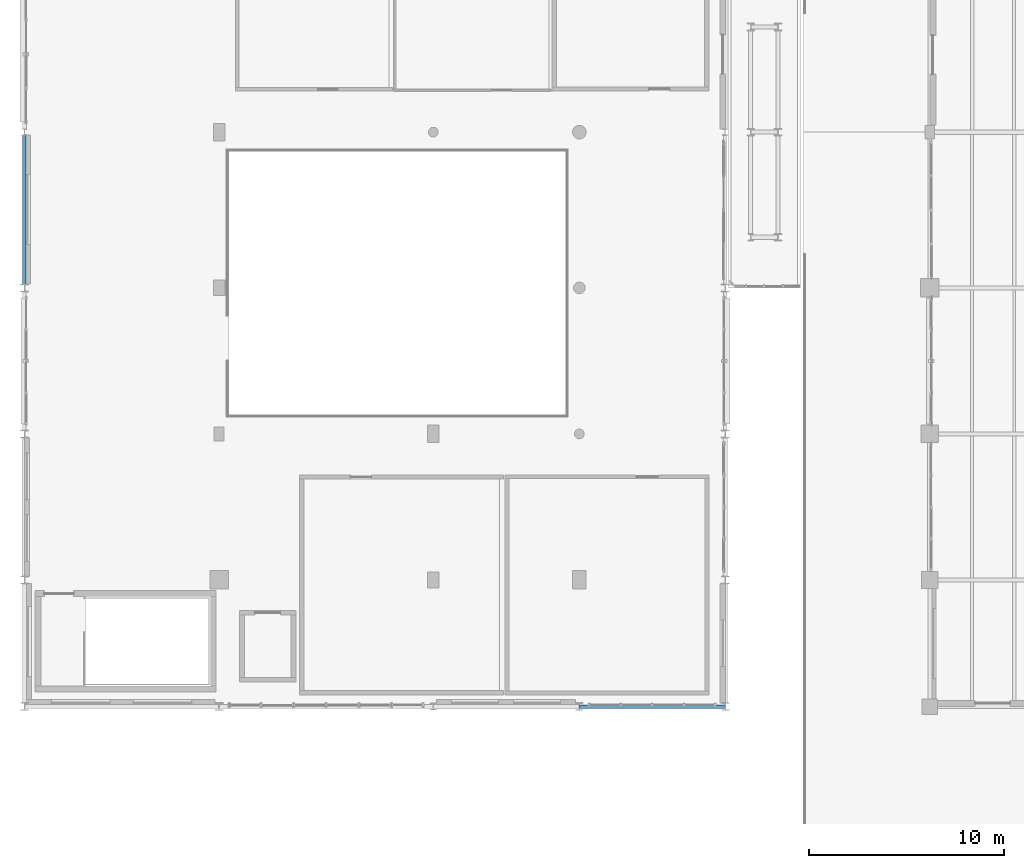
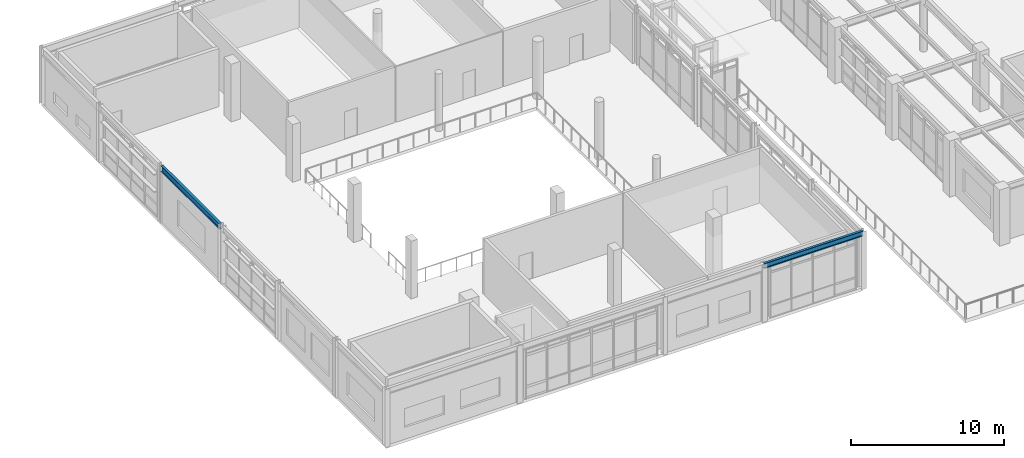
# One storey, part 22 of 200: 2 beams.
"""IFC4 building model written with IfcOpenShell, lengths in metres."""

from ifc_helpers import new_model, si_unit, direction, frame, origin, origin_2d, place, context, subcontext, project, spatial, i_section, extrude, material, material_profile, profile_set, type_object, element, save


model = new_model("IFC4")

# Units and contexts
model_context = context("Model", 3, precision=1e-05, world=origin(), true_north=direction((0.0, 1.0)))
body_context = subcontext(model_context, "Body", "Model", "MODEL_VIEW")
ifc_project = project(units=[si_unit("LENGTHUNIT", "METRE"), si_unit("AREAUNIT", "SQUARE_METRE"), si_unit("VOLUMEUNIT", "CUBIC_METRE"), si_unit("PLANEANGLEUNIT", "RADIAN"), si_unit("MASSUNIT", "GRAM", prefix="KILO"), si_unit("THERMODYNAMICTEMPERATUREUNIT", "KELVIN"), si_unit("POWERUNIT", "WATT")], contexts=[model_context])

# Site, building, storey
site_placement = place(None, origin())
site = spatial("IfcSite", under=ifc_project, at=site_placement, CompositionType="ELEMENT")
building_placement = place(site_placement, origin())
building = spatial("IfcBuilding", under=site, at=building_placement, Name="Tepalcoro Natatorium and Aquatics Centre", CompositionType="ELEMENT")
storey_placement = place(building_placement, frame((0.0, 0.0, 5.39990234375)))
storey = spatial("IfcBuildingStorey", under=building, at=storey_placement, Name="L01", CompositionType="ELEMENT", Elevation=5.39990234375)

# Beams
ifc_material = material(Name="Steel ASTM A992 Grade 50 (Fy 345 MPa)", Category="steel")
ifc_material_profile_1 = material_profile(ifc_material, i_section(OverallWidth=0.179931640625, OverallDepth=0.4130859375, WebThickness=0.010009765625, FlangeThickness=0.01611328125, FilletRadius=0.013916015625, at=origin_2d()), Name="W16X50")
ifc_profile_set_1 = profile_set([ifc_material_profile_1], Name="Steel ASTM A992 Grade 50 (Fy 345 MPa)")
beam_type_1 = type_object("IfcBeamType", Name="SP_HSS300x200x12", PredefinedType="SPANDREL", material=ifc_profile_set_1)
beam_1_placement = place(storey_placement, frame((28.5, 6.5, 4.378662109375), z_axis=(1.0, 0.0, 0.0), x_axis=(0.0, 1.0, 0.0)))
element("IfcBeam", 1, at=beam_1_placement, inside=storey, type_object=beam_type_1, Name="V3 L01 Grid Girder X", PredefinedType="SPANDREL", context=body_context, shape_type="SweptSolid", body=[
    extrude(i_section(OverallWidth=0.179931640625, OverallDepth=0.4130859375, WebThickness=0.010009765625, FlangeThickness=0.01611328125, FilletRadius=0.013916015625, at=origin_2d()), origin(), (0.0, 0.0, 1.0), 7.5),
])
ifc_material_profile_2 = material_profile(ifc_material, i_section(OverallWidth=0.19091796875, OverallDepth=0.4599609375, WebThickness=0.010009765625, FlangeThickness=0.01611328125, FilletRadius=0.013916015625, at=origin_2d()), Name="W18X55")
ifc_profile_set_2 = profile_set([ifc_material_profile_2], Name="Steel ASTM A992 Grade 50 (Fy 345 MPa)")
beam_type_2 = type_object("IfcBeamType", Name="SP_W18x55", PredefinedType="SPANDREL", material=ifc_profile_set_2)
beam_2_placement = place(storey_placement, frame((0.0, 28.178466796875, 4.35498046875), z_axis=(0.0, 1.0, 0.0), x_axis=(-1.0, 0.0, 0.0)))
element("IfcBeam", 2, at=beam_2_placement, inside=storey, type_object=beam_type_2, Name="V3 L01 Grid Girder Y", PredefinedType="SPANDREL", context=body_context, shape_type="SweptSolid", body=[
    extrude(i_section(OverallWidth=0.19091796875, OverallDepth=0.4599609375, WebThickness=0.010009765625, FlangeThickness=0.01611328125, FilletRadius=0.013916015625, at=origin_2d()), origin(), (0.0, 0.0, 1.0), 7.68896484375),
])

save(model, "model.ifc")
